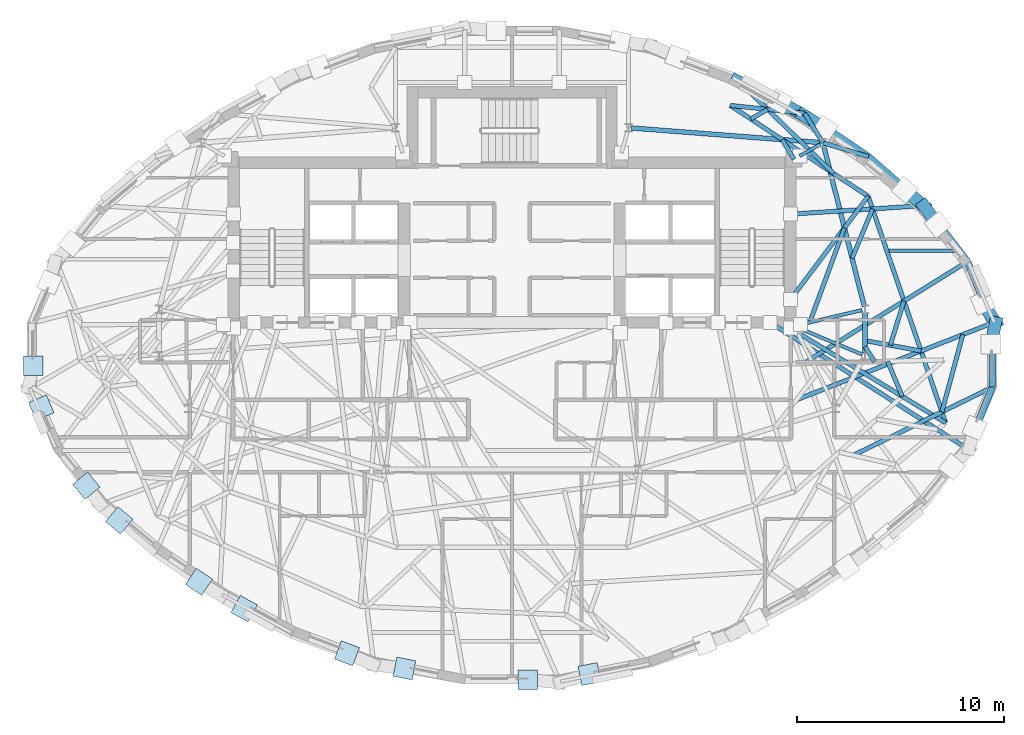
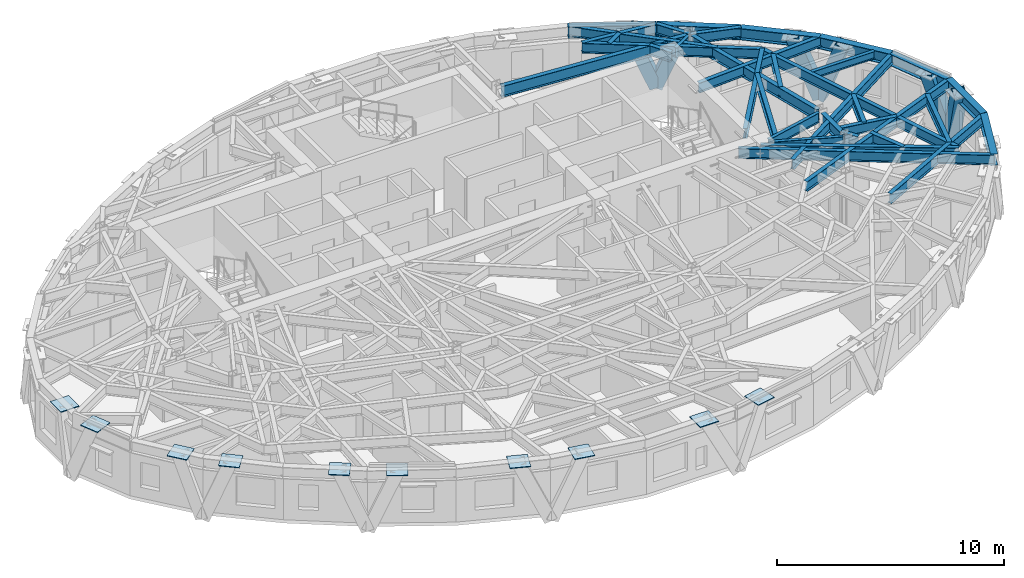
# One storey, part 4 of 14: 36 beams, 10 plates, 6 members.
"""IFC4 building model written with IfcOpenShell, lengths in metres."""

from ifc_helpers import new_model, si_unit, direction, frame, origin, origin_2d, place, context, subcontext, project, spatial, rectangle, hollow_rectangle, i_section, extrude, material, layer, layer_set, material_profile, profile_set, type_object, element, save


model = new_model("IFC4")

# Units and contexts
model_context = context("Model", 3, precision=1e-05, world=origin(), true_north=direction((0.0, 1.0)))
body_context = subcontext(model_context, "Body", "Model", "MODEL_VIEW")
ifc_project = project(units=[si_unit("LENGTHUNIT", "METRE"), si_unit("AREAUNIT", "SQUARE_METRE"), si_unit("VOLUMEUNIT", "CUBIC_METRE"), si_unit("PLANEANGLEUNIT", "RADIAN"), si_unit("MASSUNIT", "GRAM", prefix="KILO")], contexts=[model_context])

# Site, building, storey
site_placement = place(None, origin())
site = spatial("IfcSite", under=ifc_project, at=site_placement, CompositionType="ELEMENT")
building_placement = place(site_placement, origin())
building = spatial("IfcBuilding", under=site, at=building_placement, Name="Keldmark Tower", CompositionType="ELEMENT")
storey_placement = place(building_placement, frame((0.0, 0.0, 216.300048828125)))
storey = spatial("IfcBuildingStorey", under=building, at=storey_placement, Name="L60", CompositionType="ELEMENT", Elevation=216.300048828125)

# Beam
ifc_material_1 = material(Name="Steel ASTM A992 Grade 50", Category="steel")
ifc_material_profile_1 = material_profile(ifc_material_1, i_section(OverallWidth=0.177978515625, OverallDepth=0.403076171875, WebThickness=0.007568359375, FlangeThickness=0.010986328125, at=origin_2d()), Name="W16X36")
ifc_profile_set_1 = profile_set([ifc_material_profile_1], Name="Steel ASTM A992 Grade 50")
beam_type_1 = type_object("IfcBeamType", Name="Composite Floor Joist W16X36", PredefinedType="JOIST", material=ifc_profile_set_1)
beam_1_placement = place(storey_placement, frame((18.177978515625, 5.0400390625, 2.7685546875), z_axis=(1.0, 0.0, 0.0), x_axis=(0.0, 1.0, 0.0)))
element("IfcBeam", 1, at=beam_1_placement, inside=storey, type_object=beam_type_1, Name="L60 Composite Floor Joist J07", PredefinedType="JOIST", context=body_context, shape_type="SweptSolid", body=[
    extrude(i_section(OverallWidth=0.177978515625, OverallDepth=0.403076171875, WebThickness=0.007568359375, FlangeThickness=0.010986328125, at=origin_2d()), origin(), (0.0, 0.0, 1.0), 3.19580078125),
])

# Members
ifc_material_2 = material(Name="Steel ASTM A572 Grade 50", Category="steel")
ifc_material_profile_2 = material_profile(ifc_material_2, hollow_rectangle(XDim=0.60009765625, YDim=0.60009765625, WallThickness=0.034912109375, at=origin_2d()), Name="BOX600X600X35")
ifc_profile_set_2 = profile_set([ifc_material_profile_2], Name="Steel ASTM A572 Grade 50")
member_type = type_object("IfcMemberType", Name="Diagrid Zone 4 Brace BOX600X600X35", PredefinedType="BRACE", material=ifc_profile_set_2)
member_1_placement = place(storey_placement, frame((23.32421875, 1.55615234375, -0.260009765625), z_axis=(-0.187188112077, 0.29410019024, 0.937265004573), x_axis=(-0.843618030862, -0.53694377546, 0.0)))
element("IfcMember", 2, at=member_1_placement, inside=storey, type_object=member_type, Name="L60 Perimeter Diagrid Brace 01A", PredefinedType="BRACE", context=body_context, shape_type="SweptSolid", body=[
    extrude(hollow_rectangle(XDim=0.60009765625, YDim=0.60009765625, WallThickness=0.034912109375, at=origin_2d()), origin(), (0.0, 0.0, 1.0), 3.318115234375),
])
member_2_placement = place(storey_placement, frame((19.85986328125, 7.202880859375, -0.260009765625), z_axis=(0.202833431258, -0.27361846058, 0.940208241399), x_axis=(0.803342158956, 0.595517737472, 0.0)))
element("IfcMember", 3, at=member_2_placement, inside=storey, type_object=member_type, Name="L60 Perimeter Diagrid Brace 01B", PredefinedType="BRACE", context=body_context, shape_type="SweptSolid", body=[
    extrude(hollow_rectangle(XDim=0.60009765625, YDim=0.60009765625, WallThickness=0.034912109375, at=origin_2d()), origin(), (0.0, 0.0, 1.0), 3.3076171875),
])
member_3_placement = place(storey_placement, frame((19.864501953125, 7.192138671875, -0.260009765625), z_axis=(-0.275811316316, 0.233575878547, 0.932400357547), x_axis=(-0.646259941561, -0.763117348731, 0.0)))
element("IfcMember", 4, at=member_3_placement, inside=storey, type_object=member_type, Name="L60 Perimeter Diagrid Brace 02A", PredefinedType="BRACE", context=body_context, shape_type="SweptSolid", body=[
    extrude(hollow_rectangle(XDim=0.60009765625, YDim=0.60009765625, WallThickness=0.034912109375, at=origin_2d()), origin(), (0.0, 0.0, 1.0), 3.33544921875),
])
member_4_placement = place(storey_placement, frame((14.026123046875, 11.591796875, -0.260009765625), z_axis=(0.31895258987, -0.197571590576, 0.926949142085), x_axis=(0.526594973861, 0.850116305869, 0.0)))
element("IfcMember", 5, at=member_4_placement, inside=storey, type_object=member_type, Name="L60 Perimeter Diagrid Brace 02B", PredefinedType="BRACE", context=body_context, shape_type="SweptSolid", body=[
    extrude(hollow_rectangle(XDim=0.60009765625, YDim=0.60009765625, WallThickness=0.034912109375, at=origin_2d()), origin(), (0.0, 0.0, 1.0), 3.35498046875),
])
member_5_placement = place(storey_placement, frame((14.034423828125, 11.58349609375, -0.260009765625), z_axis=(-0.332031167582, 0.191358430061, 0.923654294094), x_axis=(-0.499334736029, -0.866409153573, 0.0)))
element("IfcMember", 6, at=member_5_placement, inside=storey, type_object=member_type, Name="L60 Perimeter Diagrid Brace 03A", PredefinedType="BRACE", context=body_context, shape_type="SweptSolid", body=[
    extrude(hollow_rectangle(XDim=0.60009765625, YDim=0.60009765625, WallThickness=0.034912109375, at=origin_2d()), origin(), (0.0, 0.0, 1.0), 3.366943359375),
])
member_6_placement = place(storey_placement, frame((23.32421875, 1.56787109375, -0.260009765625), z_axis=(-0.068367800686, -0.318158950856, 0.945568995801), x_axis=(0.977682077903, -0.21008987255, 0.0)))
element("IfcMember", 7, at=member_6_placement, inside=storey, type_object=member_type, Name="L60 Perimeter Diagrid Brace 16B", PredefinedType="BRACE", context=body_context, shape_type="SweptSolid", body=[
    extrude(hollow_rectangle(XDim=0.60009765625, YDim=0.60009765625, WallThickness=0.034912109375, at=origin_2d()), origin(), (0.0, 0.0, 1.0), 3.288818359375),
])

# Beams
ifc_material_3 = material(Name="Steel ASTM A992 Grade 50", Category="steel")
ifc_material_profile_3 = material_profile(ifc_material_3, i_section(OverallWidth=0.22802734375, OverallDepth=0.60302734375, WebThickness=0.010498046875, FlangeThickness=0.014892578125, at=origin_2d()), Name="W24X68")
ifc_profile_set_3 = profile_set([ifc_material_profile_3], Name="Steel ASTM A992 Grade 50")
beam_type_2 = type_object("IfcBeamType", Name="Primary Floor Girder W24X68", PredefinedType="BEAM", material=ifc_profile_set_3)
beam_2_placement = place(storey_placement, frame((16.9912109375, 2.34375, 2.66845703125), z_axis=(-0.244902129455, 0.969547805417, 0.0), x_axis=(-0.969547805417, -0.244902129455, 0.0)))
element("IfcBeam", 8, at=beam_2_placement, inside=storey, type_object=beam_type_2, Name="L60 Floor Ring Girder FG-R01", PredefinedType="BEAM", context=body_context, shape_type="SweptSolid", body=[
    extrude(i_section(OverallWidth=0.22802734375, OverallDepth=0.60302734375, WebThickness=0.010498046875, FlangeThickness=0.014892578125, at=origin_2d()), origin(), (0.0, 0.0, 1.0), 8.008056640625),
])
beam_3_placement = place(storey_placement, frame((14.856201171875, 10.25439453125, 2.66845703125), z_axis=(-0.997037147832, 0.076921556421, 0.0), x_axis=(-0.076921556421, -0.997037147832, 0.0)))
element("IfcBeam", 9, at=beam_3_placement, inside=storey, type_object=beam_type_2, Name="L60 Floor Ring Girder FG-R02", PredefinedType="BEAM", context=body_context, shape_type="SweptSolid", body=[
    extrude(i_section(OverallWidth=0.22802734375, OverallDepth=0.60302734375, WebThickness=0.010498046875, FlangeThickness=0.014892578125, at=origin_2d()), origin(), (0.0, 0.0, 1.0), 9.125),
])
beam_4_placement = place(storey_placement, frame((17.025634765625, 0.115966796875, 2.66845703125), z_axis=(0.0, 1.0, 0.0), x_axis=(-1.0, 0.0, 0.0)))
element("IfcBeam", 10, at=beam_4_placement, inside=storey, type_object=beam_type_2, Name="L60 Floor Ring Girder FG-R12", PredefinedType="BEAM", context=body_context, shape_type="SweptSolid", body=[
    extrude(i_section(OverallWidth=0.22802734375, OverallDepth=0.60302734375, WebThickness=0.010498046875, FlangeThickness=0.014892578125, at=origin_2d()), origin(), (0.0, 0.0, 1.0), 1.9521484375),
])
ifc_material_4 = material(Name="Steel ASTM A992 Grade 50", Category="steel")
ifc_material_profile_4 = material_profile(ifc_material_4, i_section(OverallWidth=0.166015625, OverallDepth=0.529052734375, WebThickness=0.009765625, FlangeThickness=0.013671875, at=origin_2d()), Name="W21X50")
ifc_profile_set_4 = profile_set([ifc_material_profile_4], Name="Steel ASTM A992 Grade 50")
beam_type_3 = type_object("IfcBeamType", Name="Radial Tie Girder W21X50", PredefinedType="BEAM", material=ifc_profile_set_4)
beam_5_placement = place(storey_placement, frame((16.889404296875, 2.17578125, 2.70556640625), z_axis=(-0.97329039005, -0.229577474147, 0.0), x_axis=(0.229577474147, -0.97329039005, 0.0)))
element("IfcBeam", 11, at=beam_5_placement, inside=storey, type_object=beam_type_3, Name="L60 Floor Radial Girder FG-C01", PredefinedType="BEAM", context=body_context, shape_type="SweptSolid", body=[
    extrude(i_section(OverallWidth=0.166015625, OverallDepth=0.529052734375, WebThickness=0.009765625, FlangeThickness=0.013671875, at=origin_2d()), origin(), (0.0, 0.0, 1.0), 3.0595703125),
])
beam_6_placement = place(storey_placement, frame((14.8740234375, 10.174560546875, 2.70556640625), z_axis=(-0.869238046195, -0.494393789451, 0.0), x_axis=(0.494393789451, -0.869238046195, 0.0)))
element("IfcBeam", 12, at=beam_6_placement, inside=storey, type_object=beam_type_3, Name="L60 Floor Radial Girder FG-C02", PredefinedType="BEAM", context=body_context, shape_type="SweptSolid", body=[
    extrude(i_section(OverallWidth=0.166015625, OverallDepth=0.529052734375, WebThickness=0.009765625, FlangeThickness=0.013671875, at=origin_2d()), origin(), (0.0, 0.0, 1.0), 1.145751953125),
])
beam_7_placement = place(storey_placement, frame((16.896240234375, 0.02978515625, 2.70556640625), z_axis=(-0.923403331902, 0.383831065226, 0.0), x_axis=(-0.383831065226, -0.923403331902, 0.0)))
element("IfcBeam", 13, at=beam_7_placement, inside=storey, type_object=beam_type_3, Name="L60 Floor Radial Girder FG-C12", PredefinedType="BEAM", context=body_context, shape_type="SweptSolid", body=[
    extrude(i_section(OverallWidth=0.166015625, OverallDepth=0.529052734375, WebThickness=0.009765625, FlangeThickness=0.013671875, at=origin_2d()), origin(), (0.0, 0.0, 1.0), 3.249755859375),
])
ifc_material_5 = material(Name="Steel ASTM A992 Grade 50", Category="steel")
ifc_material_profile_5 = material_profile(ifc_material_5, i_section(OverallWidth=0.2099609375, OverallDepth=0.537109375, WebThickness=0.010986328125, FlangeThickness=0.017333984375, at=origin_2d()), Name="W21X68")
ifc_profile_set_5 = profile_set([ifc_material_profile_5], Name="Steel ASTM A992 Grade 50")
beam_type_4 = type_object("IfcBeamType", Name="Radial Tie Girder W21X68", PredefinedType="BEAM", material=ifc_profile_set_5)
beam_8_placement = place(storey_placement, frame((17.025634765625, 0.40869140625, 2.701416015625), z_axis=(0.536175540512, -0.8441065038, 0.0), x_axis=(0.8441065038, 0.536175540512, 0.0)))
element("IfcBeam", 14, at=beam_8_placement, inside=storey, type_object=beam_type_4, Name="L60 Framing Pin Header PH-006", PredefinedType="BEAM", context=body_context, shape_type="SweptSolid", body=[
    extrude(i_section(OverallWidth=0.2099609375, OverallDepth=0.537109375, WebThickness=0.010986328125, FlangeThickness=0.017333984375, at=origin_2d()), origin(), (0.0, 0.0, 1.0), 0.85791015625),
])
beam_9_placement = place(storey_placement, frame((14.358154296875, 1.578857421875, 2.701416015625), z_axis=(0.344840964184, 0.938661125977, 0.0), x_axis=(-0.938661125977, 0.344840964184, 0.0)))
element("IfcBeam", 15, at=beam_9_placement, inside=storey, type_object=beam_type_4, Name="L60 Framing Pin Header PH-007", PredefinedType="BEAM", context=body_context, shape_type="SweptSolid", body=[
    extrude(i_section(OverallWidth=0.2099609375, OverallDepth=0.537109375, WebThickness=0.010986328125, FlangeThickness=0.017333984375, at=origin_2d()), origin(), (0.0, 0.0, 1.0), 4.856689453125),
])
beam_10_placement = place(storey_placement, frame((13.425048828125, 2.675048828125, 2.701416015625), z_axis=(0.601613091252, 0.79878763663, 0.0), x_axis=(-0.79878763663, 0.601613091252, 0.0)))
element("IfcBeam", 16, at=beam_10_placement, inside=storey, type_object=beam_type_4, Name="L60 Sub-Ring Step Girder STP2-M01", PredefinedType="BEAM", context=body_context, shape_type="SweptSolid", body=[
    extrude(i_section(OverallWidth=0.2099609375, OverallDepth=0.537109375, WebThickness=0.010986328125, FlangeThickness=0.017333984375, at=origin_2d()), origin(), (0.0, 0.0, 1.0), 6.242919921875),
])
beam_11_placement = place(storey_placement, frame((18.11376953125, -0.298828125, 2.701416015625), z_axis=(0.387485841062, -0.921875654834, 0.0), x_axis=(0.921875654834, 0.387485841062, 0.0)))
element("IfcBeam", 17, at=beam_11_placement, inside=storey, type_object=beam_type_4, Name="L60 Framing Pin Header PH-012", PredefinedType="BEAM", context=body_context, shape_type="SweptSolid", body=[
    extrude(i_section(OverallWidth=0.2099609375, OverallDepth=0.537109375, WebThickness=0.010986328125, FlangeThickness=0.017333984375, at=origin_2d()), origin(), (0.0, 0.0, 1.0), 1.834716796875),
])
beam_12_placement = place(storey_placement, frame((13.425048828125, 1.300048828125, 2.701416015625), z_axis=(0.853954330195, -0.520347962369, 0.0), x_axis=(0.520347962369, 0.853954330195, 0.0)))
element("IfcBeam", 18, at=beam_12_placement, inside=storey, type_object=beam_type_4, Name="L60 Sub-Ring Step Girder STP2-M12", PredefinedType="BEAM", context=body_context, shape_type="SweptSolid", body=[
    extrude(i_section(OverallWidth=0.2099609375, OverallDepth=0.537109375, WebThickness=0.010986328125, FlangeThickness=0.017333984375, at=origin_2d()), origin(), (0.0, 0.0, 1.0), 8.767333984375),
])
beam_13_placement = place(storey_placement, frame((20.911865234375, -3.261962890625, 2.701416015625), z_axis=(-0.323211301978, 0.946326822125, 0.0), x_axis=(-0.946326822125, -0.323211301978, 0.0)))
element("IfcBeam", 19, at=beam_13_placement, inside=storey, type_object=beam_type_4, Name="L60 Perimeter Collector Ring Beam CRG2-M12", PredefinedType="BEAM", context=body_context, shape_type="SweptSolid", body=[
    extrude(i_section(OverallWidth=0.2099609375, OverallDepth=0.537109375, WebThickness=0.010986328125, FlangeThickness=0.017333984375, at=origin_2d()), origin(), (0.0, 0.0, 1.0), 11.54345703125),
])
beam_14_placement = place(storey_placement, frame((17.025634765625, 0.70166015625, 2.701416015625), z_axis=(0.983322613464, -0.181869837657, 0.0), x_axis=(0.181869837657, 0.983322613464, 0.0)))
element("IfcBeam", 20, at=beam_14_placement, inside=storey, type_object=beam_type_4, Name="L60 Framing Pin Header PH-013", PredefinedType="BEAM", context=body_context, shape_type="SweptSolid", body=[
    extrude(i_section(OverallWidth=0.2099609375, OverallDepth=0.537109375, WebThickness=0.010986328125, FlangeThickness=0.017333984375, at=origin_2d()), origin(), (0.0, 0.0, 1.0), 2.749267578125),
])
beam_15_placement = place(storey_placement, frame((13.71826171875, -2.156005859375, 2.701416015625), z_axis=(0.930946241919, 0.365156260601, 0.0), x_axis=(-0.365156260601, 0.930946241919, 0.0)))
element("IfcBeam", 21, at=beam_15_placement, inside=storey, type_object=beam_type_4, Name="L60 Perimeter Radial Tie Girder RT-01", PredefinedType="BEAM", context=body_context, shape_type="SweptSolid", body=[
    extrude(i_section(OverallWidth=0.2099609375, OverallDepth=0.537109375, WebThickness=0.010986328125, FlangeThickness=0.017333984375, at=origin_2d()), origin(), (0.0, 0.0, 1.0), 10.14111328125),
])
beam_16_placement = place(storey_placement, frame((18.2421875, 0.4765625, 2.701416015625), z_axis=(0.296577743037, 0.955008713225, 0.0), x_axis=(-0.955008713225, 0.296577743037, 0.0)))
element("IfcBeam", 22, at=beam_16_placement, inside=storey, type_object=beam_type_4, Name="L60 Framing Pin Header PH-014", PredefinedType="BEAM", context=body_context, shape_type="SweptSolid", body=[
    extrude(i_section(OverallWidth=0.2099609375, OverallDepth=0.537109375, WebThickness=0.010986328125, FlangeThickness=0.017333984375, at=origin_2d()), origin(), (0.0, 0.0, 1.0), 2.236572265625),
])
beam_17_placement = place(storey_placement, frame((14.0556640625, -0.405517578125, 2.701416015625), z_axis=(0.849019271459, 0.52836188043, 0.0), x_axis=(-0.52836188043, 0.849019271459, 0.0)))
element("IfcBeam", 23, at=beam_17_placement, inside=storey, type_object=beam_type_4, Name="L60 Perimeter Radial Tie Girder RT-02", PredefinedType="BEAM", context=body_context, shape_type="SweptSolid", body=[
    extrude(i_section(OverallWidth=0.2099609375, OverallDepth=0.537109375, WebThickness=0.010986328125, FlangeThickness=0.017333984375, at=origin_2d()), origin(), (0.0, 0.0, 1.0), 9.322265625),
])
beam_18_placement = place(storey_placement, frame((16.40283203125, 4.673095703125, 2.701416015625), z_axis=(0.382817755411, 0.923823882643, 0.0), x_axis=(-0.923823882643, 0.382817755411, 0.0)))
element("IfcBeam", 24, at=beam_18_placement, inside=storey, type_object=beam_type_4, Name="L60 Framing Pin Header PH-015", PredefinedType="BEAM", context=body_context, shape_type="SweptSolid", body=[
    extrude(i_section(OverallWidth=0.2099609375, OverallDepth=0.537109375, WebThickness=0.010986328125, FlangeThickness=0.017333984375, at=origin_2d()), origin(), (0.0, 0.0, 1.0), 2.575927734375),
])
beam_19_placement = place(storey_placement, frame((13.425048828125, 6.800048828125, 2.701416015625), z_axis=(0.997971628044, 0.063660267193, 0.0), x_axis=(-0.063660267193, 0.997971628044, 0.0)))
element("IfcBeam", 25, at=beam_19_placement, inside=storey, type_object=beam_type_4, Name="L60 Perimeter Radial Tie Girder RT-03", PredefinedType="BEAM", context=body_context, shape_type="SweptSolid", body=[
    extrude(i_section(OverallWidth=0.2099609375, OverallDepth=0.537109375, WebThickness=0.010986328125, FlangeThickness=0.017333984375, at=origin_2d()), origin(), (0.0, 0.0, 1.0), 6.485107421875),
])
beam_20_placement = place(storey_placement, frame((14.995849609375, 10.24365234375, 2.701416015625), z_axis=(0.956580093737, -0.291469594068, 0.0), x_axis=(0.291469594068, 0.956580093737, 0.0)))
element("IfcBeam", 26, at=beam_20_placement, inside=storey, type_object=beam_type_4, Name="L60 Perimeter Column Bracket RT-04", PredefinedType="BEAM", context=body_context, shape_type="SweptSolid", body=[
    extrude(i_section(OverallWidth=0.2099609375, OverallDepth=0.537109375, WebThickness=0.010986328125, FlangeThickness=0.017333984375, at=origin_2d()), origin(), (0.0, 0.0, 1.0), 2.302734375),
])
beam_21_placement = place(storey_placement, frame((14.995849609375, 10.24365234375, 2.701416015625), z_axis=(-0.527173822506, 0.849757471791, 0.0), x_axis=(-0.849757471791, -0.527173822506, 0.0)))
element("IfcBeam", 27, at=beam_21_placement, inside=storey, type_object=beam_type_4, Name="L60 Perimeter Column Bracket RT-05", PredefinedType="BEAM", context=body_context, shape_type="SweptSolid", body=[
    extrude(i_section(OverallWidth=0.2099609375, OverallDepth=0.537109375, WebThickness=0.010986328125, FlangeThickness=0.017333984375, at=origin_2d()), origin(), (0.0, 0.0, 1.0), 1.671875),
])
beam_22_placement = place(storey_placement, frame((13.60009765625, 9.449951171875, 2.701416015625), z_axis=(-0.516477730678, 0.85630062111, 0.0), x_axis=(-0.85630062111, -0.516477730678, 0.0)))
element("IfcBeam", 28, at=beam_22_placement, inside=storey, type_object=beam_type_4, Name="L60 Framing Pin Header PH-016", PredefinedType="BEAM", context=body_context, shape_type="SweptSolid", body=[
    extrude(i_section(OverallWidth=0.2099609375, OverallDepth=0.537109375, WebThickness=0.010986328125, FlangeThickness=0.017333984375, at=origin_2d()), origin(), (0.0, 0.0, 1.0), 1.104248046875),
])
beam_23_placement = place(storey_placement, frame((17.180908203125, 7.661865234375, 2.701416015625), z_axis=(-0.835179786065, 0.5499770222, 0.0), x_axis=(-0.5499770222, -0.835179786065, 0.0)))
element("IfcBeam", 29, at=beam_23_placement, inside=storey, type_object=beam_type_4, Name="L60 Intermediate Radial Step Girder RT-06M", PredefinedType="BEAM", context=body_context, shape_type="SweptSolid", body=[
    extrude(i_section(OverallWidth=0.2099609375, OverallDepth=0.537109375, WebThickness=0.010986328125, FlangeThickness=0.017333984375, at=origin_2d()), origin(), (0.0, 0.0, 1.0), 7.97119140625),
])
beam_24_placement = place(storey_placement, frame((14.114501953125, 11.664306640625, 2.701416015625), z_axis=(-0.99440161598, 0.105666580038, 0.0), x_axis=(-0.105666580038, -0.99440161598, 0.0)))
element("IfcBeam", 30, at=beam_24_placement, inside=storey, type_object=beam_type_4, Name="L60 Local Collector Chord RT-06C", PredefinedType="BEAM", context=body_context, shape_type="SweptSolid", body=[
    extrude(i_section(OverallWidth=0.2099609375, OverallDepth=0.537109375, WebThickness=0.010986328125, FlangeThickness=0.017333984375, at=origin_2d()), origin(), (0.0, 0.0, 1.0), 3.611328125),
])
beam_25_placement = place(storey_placement, frame((11.52197265625, 11.38818359375, 2.701416015625), z_axis=(0.864939895805, 0.501875459298, 0.0), x_axis=(-0.501875459298, 0.864939895805, 0.0)))
element("IfcBeam", 31, at=beam_25_placement, inside=storey, type_object=beam_type_4, Name="L60 Framing Pin Header PH-017", PredefinedType="BEAM", context=body_context, shape_type="SweptSolid", body=[
    extrude(i_section(OverallWidth=0.2099609375, OverallDepth=0.537109375, WebThickness=0.010986328125, FlangeThickness=0.017333984375, at=origin_2d()), origin(), (0.0, 0.0, 1.0), 0.9287109375),
])
beam_26_placement = place(storey_placement, frame((15.5166015625, 8.7578125, 2.701416015625), z_axis=(-0.71770467116, 0.696347617929, 0.0), x_axis=(-0.696347617929, -0.71770467116, 0.0)))
element("IfcBeam", 32, at=beam_26_placement, inside=storey, type_object=beam_type_4, Name="L60 Perimeter Radial Tie Girder RT-06", PredefinedType="BEAM", context=body_context, shape_type="SweptSolid", body=[
    extrude(i_section(OverallWidth=0.2099609375, OverallDepth=0.537109375, WebThickness=0.010986328125, FlangeThickness=0.017333984375, at=origin_2d()), origin(), (0.0, 0.0, 1.0), 6.8017578125),
])
beam_27_placement = place(storey_placement, frame((12.4462890625, 1.574951171875, 2.701416015625), z_axis=(0.842291398219, -0.539022448964, 0.0), x_axis=(0.539022448964, 0.842291398219, 0.0)))
element("IfcBeam", 33, at=beam_27_placement, inside=storey, type_object=beam_type_4, Name="L60 Perimeter Radial Tie Girder RT-31", PredefinedType="BEAM", context=body_context, shape_type="SweptSolid", body=[
    extrude(i_section(OverallWidth=0.2099609375, OverallDepth=0.537109375, WebThickness=0.010986328125, FlangeThickness=0.017333984375, at=origin_2d()), origin(), (0.0, 0.0, 1.0), 11.307373046875),
])
beam_28_placement = place(storey_placement, frame((21.742919921875, 0.99169921875, 2.701416015625), z_axis=(-0.26159825699, -0.965176850085, 0.0), x_axis=(0.965176850085, -0.26159825699, 0.0)))
element("IfcBeam", 34, at=beam_28_placement, inside=storey, type_object=beam_type_4, Name="L60 Framing Pin Header PH-033", PredefinedType="BEAM", context=body_context, shape_type="SweptSolid", body=[
    extrude(i_section(OverallWidth=0.2099609375, OverallDepth=0.537109375, WebThickness=0.010986328125, FlangeThickness=0.017333984375, at=origin_2d()), origin(), (0.0, 0.0, 1.0), 3.86279296875),
])
beam_29_placement = place(storey_placement, frame((16.46044921875, -4.83056640625, 2.701416015625), z_axis=(0.897933656481, 0.440130831184, 0.0), x_axis=(-0.440130831184, 0.897933656481, 0.0)))
element("IfcBeam", 35, at=beam_29_placement, inside=storey, type_object=beam_type_4, Name="L60 Perimeter Radial Tie Girder RT-32", PredefinedType="BEAM", context=body_context, shape_type="SweptSolid", body=[
    extrude(i_section(OverallWidth=0.2099609375, OverallDepth=0.537109375, WebThickness=0.010986328125, FlangeThickness=0.017333984375, at=origin_2d()), origin(), (0.0, 0.0, 1.0), 7.460205078125),
])
ifc_material_6 = material(Name="Steel ASTM A992 Grade 50", Category="steel")
ifc_material_profile_6 = material_profile(ifc_material_6, i_section(OverallWidth=0.326904296875, OverallDepth=0.6220703125, WebThickness=0.015380859375, FlangeThickness=0.0244140625, at=origin_2d()), Name="W24X131")
ifc_profile_set_6 = profile_set([ifc_material_profile_6], Name="Steel ASTM A992 Grade 50")
beam_type_5 = type_object("IfcBeamType", Name="Spandrel Ring Beam W24X131", PredefinedType="SPANDREL", material=ifc_profile_set_6)
beam_30_placement = place(storey_placement, frame((23.1591796875, 1.547119140625, 2.658935546875), z_axis=(-0.371272350835, 0.928524012347, 0.0), x_axis=(-0.928524012347, -0.371272350835, 0.0)))
element("IfcBeam", 36, at=beam_30_placement, inside=storey, type_object=beam_type_5, Name="L60 Perimeter Spandrel Ring Beam SRB-01", PredefinedType="SPANDREL", context=body_context, shape_type="SweptSolid", body=[
    extrude(i_section(OverallWidth=0.326904296875, OverallDepth=0.6220703125, WebThickness=0.015380859375, FlangeThickness=0.0244140625, at=origin_2d()), origin(), (0.0, 0.0, 1.0), 3.20166015625),
])
beam_31_placement = place(storey_placement, frame((21.970458984375, 4.52001953125, 2.658935546875), z_axis=(-0.61008909013, 0.792332822811, 0.0), x_axis=(-0.792332822811, -0.61008909013, 0.0)))
element("IfcBeam", 37, at=beam_31_placement, inside=storey, type_object=beam_type_5, Name="L60 Perimeter Spandrel Ring Beam SRB-02", PredefinedType="SPANDREL", context=body_context, shape_type="SweptSolid", body=[
    extrude(i_section(OverallWidth=0.326904296875, OverallDepth=0.6220703125, WebThickness=0.015380859375, FlangeThickness=0.0244140625, at=origin_2d()), origin(), (0.0, 0.0, 1.0), 3.398681640625),
])
beam_32_placement = place(storey_placement, frame((19.89697265625, 7.212890625, 2.658935546875), z_axis=(-0.752791825906, 0.65825866257, 0.0), x_axis=(-0.65825866257, -0.752791825906, 0.0)))
element("IfcBeam", 38, at=beam_32_placement, inside=storey, type_object=beam_type_5, Name="L60 Perimeter Spandrel Ring Beam SRB-03", PredefinedType="SPANDREL", context=body_context, shape_type="SweptSolid", body=[
    extrude(i_section(OverallWidth=0.326904296875, OverallDepth=0.6220703125, WebThickness=0.015380859375, FlangeThickness=0.0244140625, at=origin_2d()), origin(), (0.0, 0.0, 1.0), 3.584716796875),
])
beam_33_placement = place(storey_placement, frame((17.198486328125, 9.572509765625, 2.658935546875), z_axis=(-0.827588821514, 0.561334786473, 0.0), x_axis=(-0.561334786473, -0.827588821514, 0.0)))
element("IfcBeam", 39, at=beam_33_placement, inside=storey, type_object=beam_type_5, Name="L60 Perimeter Spandrel Ring Beam SRB-04", PredefinedType="SPANDREL", context=body_context, shape_type="SweptSolid", body=[
    extrude(i_section(OverallWidth=0.326904296875, OverallDepth=0.6220703125, WebThickness=0.015380859375, FlangeThickness=0.0244140625, at=origin_2d()), origin(), (0.0, 0.0, 1.0), 3.7265625),
])
beam_34_placement = place(storey_placement, frame((14.114501953125, 11.664306640625, 2.658935546875), z_axis=(-0.885073090843, 0.465452063982, 0.0), x_axis=(-0.465452063982, -0.885073090843, 0.0)))
element("IfcBeam", 40, at=beam_34_placement, inside=storey, type_object=beam_type_5, Name="L60 Perimeter Spandrel Ring Beam SRB-05", PredefinedType="SPANDREL", context=body_context, shape_type="SweptSolid", body=[
    extrude(i_section(OverallWidth=0.326904296875, OverallDepth=0.6220703125, WebThickness=0.015380859375, FlangeThickness=0.0244140625, at=origin_2d()), origin(), (0.0, 0.0, 1.0), 3.931396484375),
])
beam_35_placement = place(storey_placement, frame((21.970458984375, -4.52001953125, 2.658935546875), z_axis=(0.371272350835, 0.928524012347, 0.0), x_axis=(-0.928524012347, 0.371272350835, 0.0)))
element("IfcBeam", 41, at=beam_35_placement, inside=storey, type_object=beam_type_5, Name="L60 Perimeter Spandrel Ring Beam SRB-31", PredefinedType="SPANDREL", context=body_context, shape_type="SweptSolid", body=[
    extrude(i_section(OverallWidth=0.326904296875, OverallDepth=0.6220703125, WebThickness=0.015380859375, FlangeThickness=0.0244140625, at=origin_2d()), origin(), (0.0, 0.0, 1.0), 3.20166015625),
])
beam_36_placement = place(storey_placement, frame((23.1591796875, -1.547119140625, 2.658935546875), z_axis=(0.0, 1.0, 0.0), x_axis=(-1.0, 0.0, 0.0)))
element("IfcBeam", 42, at=beam_36_placement, inside=storey, type_object=beam_type_5, Name="L60 Perimeter Spandrel Ring Beam SRB-32", PredefinedType="SPANDREL", context=body_context, shape_type="SweptSolid", body=[
    extrude(i_section(OverallWidth=0.326904296875, OverallDepth=0.6220703125, WebThickness=0.015380859375, FlangeThickness=0.0244140625, at=origin_2d()), origin(), (0.0, 0.0, 1.0), 3.09423828125),
])

# Plates
ifc_material_7 = material(Name="Steel ASTM A572 Grade 50", Category="steel")
ifc_layer = layer(ifc_material_7, 0.0400390625)
ifc_layer_set = layer_set([ifc_layer], Name="Steel ASTM A572 Grade 50")
plate_type = type_object("IfcPlateType", Name="Diagrid Node Assembly DN05 40 mm", PredefinedType="USERDEFINED", material=ifc_layer_set)
for number, where, z_axis, x_axis, name in (
    (43, (-23.099365234375, -0.521484375, 2.829833984375), (0.0, 0.0, 1.0), (0.0, -1.0, 0.0), "L60 Diagrid Node Assembly 16"),
    (44, (-22.703125, -2.531982421875, 2.829833984375), (0.0, 0.0, 1.0), (0.394743856384, -0.918791210149, 0.0), "L60 Diagrid Node Assembly 17"),
    (45, (-20.53076171875, -6.2978515625, 2.829833984375), (0.0, 0.0, 1.0), (0.632705328563, -0.774392644082, 0.0), "L60 Diagrid Node Assembly 18"),
    (46, (-18.944580078125, -7.97119140625, 2.829833984375), (0.0, 0.0, 1.0), (0.766044443119, -0.642787609687, 0.0), "L60 Diagrid Node Assembly 19"),
    (47, (-15.09619140625, -10.928955078125, 2.829833984375), (0.0, 0.0, 1.0), (0.827570769564, -0.561361399958, 0.0), "L60 Diagrid Node Assembly 20"),
    (48, (-12.91650390625, -12.227783203125, 2.829833984375), (0.0, 0.0, 1.0), (0.876894599045, -0.480682704252, 0.0), "L60 Diagrid Node Assembly 21"),
    (49, (-7.9599609375, -14.37890625, 2.829833984375), (0.0, 0.0, 1.0), (0.936059535739, -0.351841648405, 0.0), "L60 Diagrid Node Assembly 22"),
    (50, (-5.18603515625, -15.11181640625, 2.829833984375), (0.0, 0.0, 1.0), (0.981022896164, -0.193891921448, 0.0), "L60 Diagrid Node Assembly 23"),
    (51, (0.76611328125, -15.64697265625, 2.829833984375), (0.0, 0.0, 1.0), (1.0, 0.0, 0.0), "L60 Diagrid Node Assembly 24"),
    (52, (3.736328125, -15.37841796875, 2.829833984375), (0.0, 0.0, 1.0), (0.981022896164, 0.193891921448, 0.0), "L60 Diagrid Node Assembly 25"),
):
    element("IfcPlate", number, at=place(storey_placement, frame(where, z_axis=z_axis, x_axis=x_axis)), inside=storey, type_object=plate_type, Name=name, ObjectType="GUSSET", PredefinedType="USERDEFINED", context=body_context, shape_type="SweptSolid", body=[
        extrude(rectangle(XDim=0.93994140625, YDim=0.93994140625, at=origin_2d()), origin(), (0.0, 0.0, 1.0), 0.0400390625),
    ])

save(model, "model.ifc")
